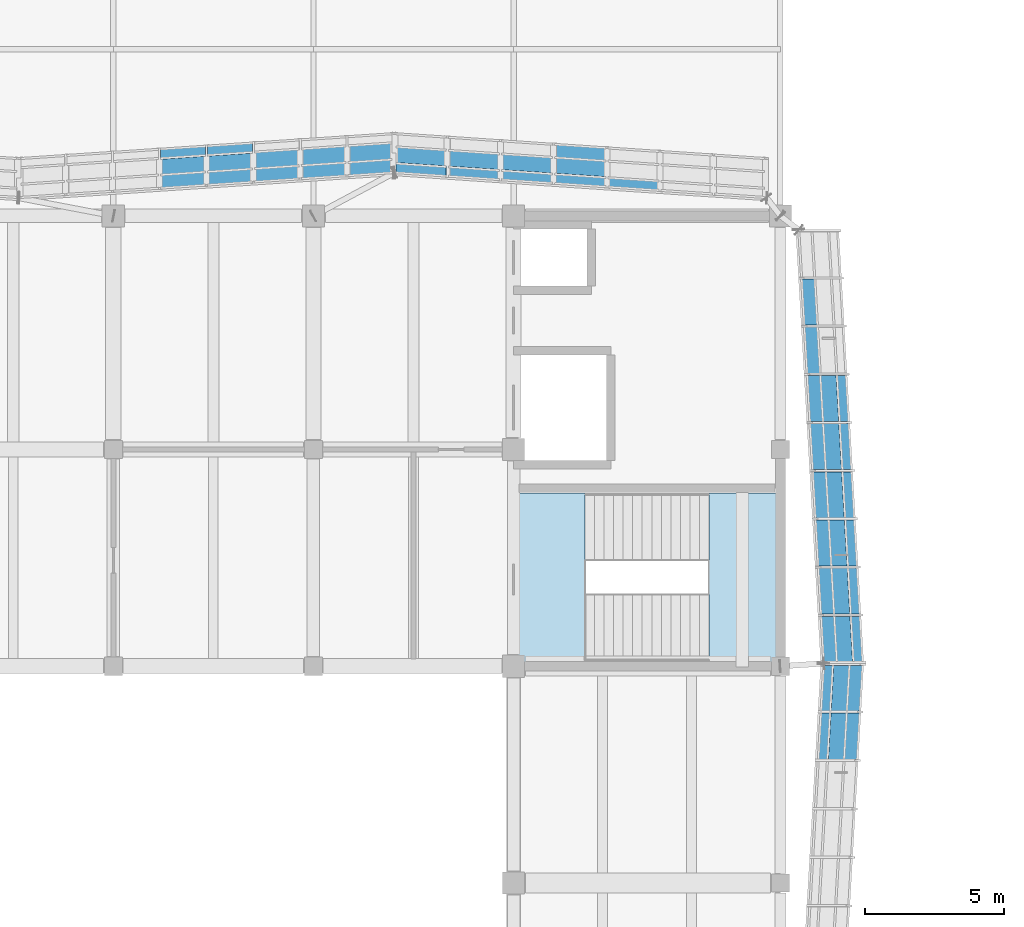
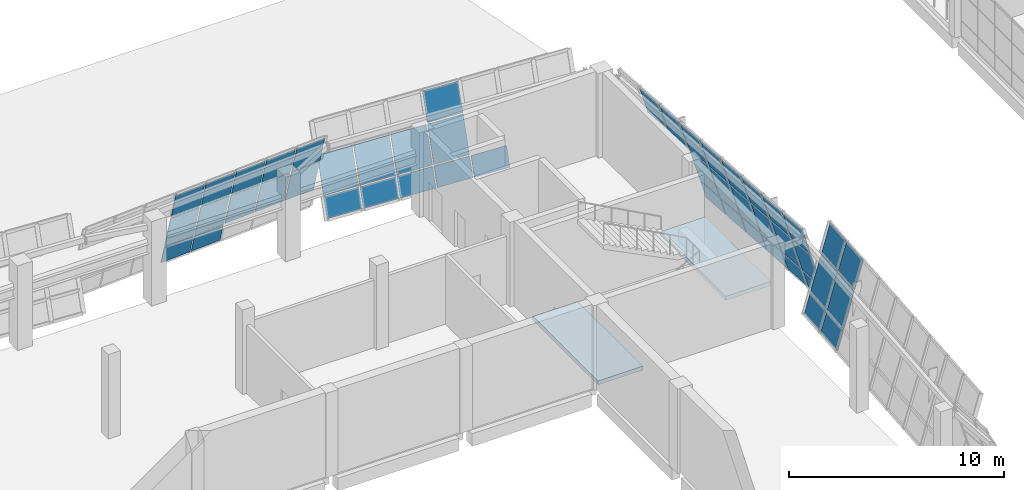
# One storey, part 56 of 79: 48 plates, 2 slabs, 5 elements without a shape of their own.
"""IFC4 building model written with IfcOpenShell, lengths in metres."""

from ifc_helpers import new_model, si_unit, direction, frame, origin, place, context, subcontext, project, spatial, polyline, outline, extrude, material, layer, layer_set, type_object, element, aggregate, save


model = new_model("IFC4")

# Units and contexts
model_context = context("Model", 3, precision=1e-05, world=origin(), true_north=direction((0.0, 1.0)))
body_context = subcontext(model_context, "Body", "Model", "MODEL_VIEW")
ifc_project = project(units=[si_unit("LENGTHUNIT", "METRE"), si_unit("AREAUNIT", "SQUARE_METRE"), si_unit("VOLUMEUNIT", "CUBIC_METRE"), si_unit("PLANEANGLEUNIT", "RADIAN"), si_unit("MASSUNIT", "GRAM", prefix="KILO")], contexts=[model_context])

# Site, building, storey
site_placement = place(None, origin())
site = spatial("IfcSite", under=ifc_project, at=site_placement, CompositionType="ELEMENT")
building_placement = place(site_placement, origin())
building = spatial("IfcBuilding", under=site, at=building_placement, Name="Pellamere Symphony Hall", CompositionType="ELEMENT")
storey_placement = place(building_placement, frame((0.0, 0.0, 10.199951171875)))
storey = spatial("IfcBuildingStorey", under=building, at=storey_placement, Name="L02", CompositionType="ELEMENT", Elevation=10.199951171875)

# Curtain wall, plates
ifc_material_1 = material(Name="Thermally Broken Anodised Aluminium 6063-T6 Curtain Wall", Category="aluminium")
curtain_wall_type = type_object("IfcCurtainWallType", Name="Curtain Wall CW-01 (Tilted Faceted Crystal Low-Iron Curtain Wall)", PredefinedType="NOTDEFINED", material=ifc_material_1)
curtain_wall_1_placement = place(storey_placement, origin())
curtain_wall_1 = element("IfcCurtainWall", 1, at=curtain_wall_1_placement, inside=storey, type_object=curtain_wall_type, Name="Crystal Faceted Curtain Wall CW-CR08 (L02)", PredefinedType="NOTDEFINED")
ifc_material_2 = material(Name="Triple Laminated Acoustic Crystal Glazing 42mm", Category="glass")
ifc_layer_1 = layer(ifc_material_2, 0.0419921875, Name="Triple Laminated Acoustic Crystal Glazing 42mm")
ifc_layer_set_1 = layer_set([ifc_layer_1], Name="Triple Laminated Acoustic Crystal Glazing 42mm")
plate_type = type_object("IfcPlateType", Name="Facade Panel GL-02 42mm", PredefinedType="CURTAIN_PANEL", material=ifc_layer_set_1)
plate_1_placement = place(storey_placement, frame((120.17333984375, 74.048583984375, 0.072021484375), z_axis=(-0.957368821144, 0.054882798755, 0.28360680299), x_axis=(0.057232737422, 0.998360863499, 0.0)))
plate_1 = element("IfcPlate", 2, at=plate_1_placement, type_object=plate_type, Name="CW1-014 crystal glass panel 8.1", PredefinedType="CURTAIN_PANEL", context=body_context, shape_type="SweptSolid", body=[
    extrude(outline(polyline([(0.0, 0.0), (1.6721745160346768, -3.469446951953614e-18), (1.6898780996073564, -1.0888989290806625), (0.01770358357267939, -1.0888989290806625), (0.0, 0.0)])), origin(), (0.0, 0.0, -1.0), 0.0419921875),
])
plate_2_placement = place(storey_placement, frame((120.504150390625, 74.048583984375, 1.18798828125), z_axis=(-0.957399002665, 0.054884528962, 0.283504564647), x_axis=(0.057232737422, 0.998360863499, 0.0)))
plate_2 = element("IfcPlate", 3, at=plate_2_placement, type_object=plate_type, Name="CW1-014 crystal glass panel 8.2", PredefinedType="CURTAIN_PANEL", context=body_context, shape_type="SweptSolid", body=[
    extrude(outline(polyline([(0.0, 0.0), (1.6721745160346768, 0.0), (1.7051224639939333, -2.0272688394771072), (0.03294794795925651, -2.0272688394771072), (0.0, 0.0)])), origin(), (0.0, 0.0, -1.0), 0.0419921875),
])
plate_3_placement = place(storey_placement, frame((121.10107421875, 74.048583984375, 3.2041015625), z_axis=(-0.957331464257, 0.054880657208, 0.283733292034), x_axis=(0.057232737422, 0.998360863499, 0.0)))
plate_3 = element("IfcPlate", 4, at=plate_3_placement, type_object=plate_type, Name="CW1-014 crystal glass panel 8.3", PredefinedType="CURTAIN_PANEL", context=body_context, shape_type="SweptSolid", body=[
    extrude(outline(polyline([(0.0, 0.0), (1.6721745160346768, 3.469446951953614e-18), (1.69802426316132, -1.589238331426626), (0.02584974712664315, -1.589238331426626), (0.0, 0.0)])), origin(), (0.0, 0.0, -1.0), 0.0419921875),
])
plate_4_placement = place(storey_placement, frame((120.2734375, 75.79296875, 0.072021484375), z_axis=(-0.957370543914, 0.054850099973, 0.283607313336), x_axis=(0.057198647566, 0.998362817175, 0.0)))
plate_4 = element("IfcPlate", 5, at=plate_4_placement, type_object=plate_type, Name="CW1-014 crystal glass panel 9.1", PredefinedType="CURTAIN_PANEL", context=body_context, shape_type="SweptSolid", body=[
    extrude(outline(polyline([(0.0, 0.0), (1.6347564733470132, 3.469446951953614e-18), (1.652449512034991, -1.0888991004708903), (0.01769303868797779, -1.0888991004708903), (0.0, 0.0)])), origin(), (0.0, 0.0, -1.0), 0.0419921875),
])
plate_5_placement = place(storey_placement, frame((120.60400390625, 75.79296875, 1.18798828125), z_axis=(-0.957368086249, 0.054849959167, 0.283615636753), x_axis=(0.057198647566, 0.998362817175, 0.0)))
plate_5 = element("IfcPlate", 6, at=plate_5_placement, type_object=plate_type, Name="CW1-014 crystal glass panel 9.2", PredefinedType="CURTAIN_PANEL", context=body_context, shape_type="SweptSolid", body=[
    extrude(outline(polyline([(0.0, 0.0), (1.6347564733470132, 0.0), (1.6676987608489386, -2.027338273597459), (0.032942287501925495, -2.027338273597459), (0.0, 0.0)])), origin(), (0.0, 0.0, -1.0), 0.0419921875),
])
plate_6_placement = place(storey_placement, frame((121.201171875, 75.79296875, 3.2041015625), z_axis=(-0.957374837735, 0.054850345976, 0.283592770742), x_axis=(0.057198647566, 0.998362817175, 0.0)))
plate_6 = element("IfcPlate", 7, at=plate_6_placement, type_object=plate_type, Name="CW1-014 crystal glass panel 9.3", PredefinedType="CURTAIN_PANEL", context=body_context, shape_type="SweptSolid", body=[
    extrude(outline(polyline([(0.0, 0.0), (1.6347564733470132, 3.469446951953614e-18), (1.6605768589303367, -1.5891694414408748), (0.025820385583323543, -1.5891694414408748), (0.0, 0.0)])), origin(), (0.0, 0.0, -1.0), 0.0419921875),
])
aggregate(curtain_wall_1, [plate_1, plate_2, plate_3, plate_4, plate_5, plate_6])

curtain_wall_2_placement = place(storey_placement, origin())
curtain_wall_2 = element("IfcCurtainWall", 8, at=curtain_wall_2_placement, inside=storey, type_object=curtain_wall_type, Name="Crystal Faceted Curtain Wall CW-CR09 (L02)", PredefinedType="NOTDEFINED")
plate_7_placement = place(storey_placement, frame((121.74609375, 77.574951171875, 0.072021484375), z_axis=(0.957377085585, 0.055302622733, 0.283497329645), x_axis=(-0.057662567717, 0.998336129702, -2.0406939e-05)))
plate_7 = element("IfcPlate", 9, at=plate_7_placement, type_object=plate_type, Name="CW1-019 crystal glass panel 1.1", PredefinedType="CURTAIN_PANEL", context=body_context, shape_type="SweptSolid", body=[
    extrude(outline(polyline([(0.0, 0.0), (1.6235445138001536, -3.469446951953614e-18), (1.6413597464226464, 1.0888971018663633), (0.01780115484717093, 1.0888280035374043), (0.0, 0.0)])), origin(), (0.0, 0.0, -1.0), 0.0419921875),
])
plate_8_placement = place(storey_placement, frame((121.41552734375, 77.574951171875, 1.18798828125), z_axis=(0.957380698434, 0.055230728649, 0.283499144406), x_axis=(-0.057593652861, 0.998340107954, 0.0)))
plate_8 = element("IfcPlate", 10, at=plate_8_placement, type_object=plate_type, Name="CW1-019 crystal glass panel 1.2", PredefinedType="CURTAIN_PANEL", context=body_context, shape_type="SweptSolid", body=[
    extrude(outline(polyline([(0.0, 0.0), (1.6235445180063734, -6.938893903907228e-18), (1.656700239062783, 2.027265452019249), (0.03315572105640951, 2.027265452019249), (0.0, 0.0)])), origin(), (0.0, 0.0, -1.0), 0.0419921875),
])
plate_9_placement = place(storey_placement, frame((120.818359375, 77.574951171875, 3.2041015625), z_axis=(0.957354812195, 0.055229235287, 0.283586838793), x_axis=(-0.057593652861, 0.998340107954, 0.0)))
plate_9 = element("IfcPlate", 11, at=plate_9_placement, type_object=plate_type, Name="CW1-019 crystal glass panel 1.3", PredefinedType="CURTAIN_PANEL", context=body_context, shape_type="SweptSolid", body=[
    extrude(outline(polyline([(0.0, 0.0), (1.6235445180063734, -6.938893903907228e-18), (1.6495432153063316, 1.589166534275083), (0.02599869729995809, 1.589166534275083), (0.0, 0.0)])), origin(), (0.0, 0.0, -1.0), 0.0419921875),
])
plate_10_placement = place(storey_placement, frame((121.6484375, 79.270751953125, 0.072021484375), z_axis=(0.957349655397, 0.055245262022, 0.283601125412), x_axis=(-0.057610619545, 0.998339129012, 0.0)))
plate_10 = element("IfcPlate", 12, at=plate_10_placement, type_object=plate_type, Name="CW1-019 crystal glass panel 2.1", PredefinedType="CURTAIN_PANEL", context=body_context, shape_type="SweptSolid", body=[
    extrude(outline(polyline([(0.0, 0.0), (1.6612063149993754, 3.469446951953614e-18), (1.67902678740273, 1.0888970223981924), (0.017820472403354506, 1.0888970223981924), (0.0, 0.0)])), origin(), (0.0, 0.0, -1.0), 0.0419921875),
])
plate_11_placement = place(storey_placement, frame((121.31787109375, 79.270751953125, 1.18798828125), z_axis=(0.957347197893, 0.055245120208, 0.283609448679), x_axis=(-0.057610619545, 0.998339129012, 0.0)))
plate_11 = element("IfcPlate", 13, at=plate_11_placement, type_object=plate_type, Name="CW1-019 crystal glass panel 2.2", PredefinedType="CURTAIN_PANEL", context=body_context, shape_type="SweptSolid", body=[
    extrude(outline(polyline([(0.0, 0.0), (1.6612063149993754, 6.938893903907228e-18), (1.6943858685901516, 2.0273344043651265), (0.03317955359077607, 2.0273344043651265), (0.0, 0.0)])), origin(), (0.0, 0.0, -1.0), 0.0419921875),
])
plate_12_placement = place(storey_placement, frame((120.720703125, 79.270751953125, 3.2041015625), z_axis=(0.957312300753, 0.055243106418, 0.283727612367), x_axis=(-0.057610619545, 0.998339129012, 0.0)))
plate_12 = element("IfcPlate", 14, at=plate_12_placement, type_object=plate_type, Name="CW1-019 crystal glass panel 2.3", PredefinedType="CURTAIN_PANEL", context=body_context, shape_type="SweptSolid", body=[
    extrude(outline(polyline([(0.0, 0.0), (1.6612063149993754, -3.469446951953614e-18), (1.6872267364249525, 1.5892355461576588), (0.026020421425576826, 1.5892355461576588), (0.0, 0.0)])), origin(), (0.0, 0.0, -1.0), 0.0419921875),
])
plate_13_placement = place(storey_placement, frame((121.54833984375, 81.004150390625, 0.072021484375), z_axis=(0.957349655397, 0.055245262022, 0.283601125412), x_axis=(-0.057610619545, 0.998339129012, 0.0)))
plate_13 = element("IfcPlate", 15, at=plate_13_placement, type_object=plate_type, Name="CW1-019 crystal glass panel 3.1", PredefinedType="CURTAIN_PANEL", context=body_context, shape_type="SweptSolid", body=[
    extrude(outline(polyline([(0.0, 0.0), (1.6612063149993754, 3.469446951953614e-18), (1.67902678740273, 1.0888970223981924), (0.017820472403354506, 1.0888970223981924), (0.0, 0.0)])), origin(), (0.0, 0.0, -1.0), 0.0419921875),
])
plate_14_placement = place(storey_placement, frame((121.2177734375, 81.004150390625, 1.18798828125), z_axis=(0.957347197893, 0.055245120208, 0.283609448679), x_axis=(-0.057610619545, 0.998339129012, 0.0)))
plate_14 = element("IfcPlate", 16, at=plate_14_placement, type_object=plate_type, Name="CW1-019 crystal glass panel 3.2", PredefinedType="CURTAIN_PANEL", context=body_context, shape_type="SweptSolid", body=[
    extrude(outline(polyline([(0.0, 0.0), (1.6612063149993754, 6.938893903907228e-18), (1.6943858685901516, 2.0273344043651265), (0.03317955359077607, 2.0273344043651265), (0.0, 0.0)])), origin(), (0.0, 0.0, -1.0), 0.0419921875),
])
plate_15_placement = place(storey_placement, frame((120.62060546875, 81.004150390625, 3.2041015625), z_axis=(0.957353948937, 0.055245509787, 0.28358658308), x_axis=(-0.057610619545, 0.998339129012, 0.0)))
plate_15 = element("IfcPlate", 17, at=plate_15_placement, type_object=plate_type, Name="CW1-019 crystal glass panel 3.3", PredefinedType="CURTAIN_PANEL", context=body_context, shape_type="SweptSolid", body=[
    extrude(outline(polyline([(0.0, 0.0), (1.6612063149993754, 0.0), (1.68721267133229, 1.5891664089551663), (0.02600635633291435, 1.5891664089551663), (0.0, 0.0)])), origin(), (0.0, 0.0, -1.0), 0.0419921875),
])
plate_16_placement = place(storey_placement, frame((121.4482421875, 82.737548828125, 0.072021484375), z_axis=(0.957410410084, 0.05524876796, 0.283395272192), x_axis=(-0.057610619545, 0.998339129012, 0.0)))
plate_16 = element("IfcPlate", 18, at=plate_16_placement, type_object=plate_type, Name="CW1-019 crystal glass panel 4.1", PredefinedType="CURTAIN_PANEL", context=body_context, shape_type="SweptSolid", body=[
    extrude(outline(polyline([(0.0, 0.0), (1.6612063149993754, 3.469446951953614e-18), (1.6790127223100675, 1.0888279239245282), (0.017806407310692034, 1.0888279239245282), (0.0, 0.0)])), origin(), (0.0, 0.0, -1.0), 0.0419921875),
])
plate_17_placement = place(storey_placement, frame((121.11767578125, 82.737548828125, 1.18798828125), z_axis=(0.957379835106, 0.055247003586, 0.283498888758), x_axis=(-0.057610619545, 0.998339129012, 0.0)))
plate_17 = element("IfcPlate", 19, at=plate_17_placement, type_object=plate_type, Name="CW1-019 crystal glass panel 4.2", PredefinedType="CURTAIN_PANEL", context=body_context, shape_type="SweptSolid", body=[
    extrude(outline(polyline([(0.0, 0.0), (1.6612063149993754, -3.469446951953614e-18), (1.694371803497489, 2.0272652922501933), (0.03316548849811359, 2.0272652922501933), (0.0, 0.0)])), origin(), (0.0, 0.0, -1.0), 0.0419921875),
])
plate_18_placement = place(storey_placement, frame((120.5205078125, 82.737548828125, 3.2041015625), z_axis=(0.957353948937, 0.055245509787, 0.28358658308), x_axis=(-0.057610619545, 0.998339129012, 0.0)))
plate_18 = element("IfcPlate", 20, at=plate_18_placement, type_object=plate_type, Name="CW1-019 crystal glass panel 4.3", PredefinedType="CURTAIN_PANEL", context=body_context, shape_type="SweptSolid", body=[
    extrude(outline(polyline([(0.0, 0.0), (1.6612063149993754, 0.0), (1.68721267133229, 1.5891664089551663), (0.02600635633291435, 1.5891664089551663), (0.0, 0.0)])), origin(), (0.0, 0.0, -1.0), 0.0419921875),
])
plate_19_placement = place(storey_placement, frame((121.348388671875, 84.470703125, 0.072021484375), z_axis=(0.957349655397, 0.055245262022, 0.283601125412), x_axis=(-0.057610619545, 0.998339129012, 0.0)))
plate_19 = element("IfcPlate", 21, at=plate_19_placement, type_object=plate_type, Name="CW1-019 crystal glass panel 5.1", PredefinedType="CURTAIN_PANEL", context=body_context, shape_type="SweptSolid", body=[
    extrude(outline(polyline([(0.0, 0.0), (1.6612063149993754, 3.469446951953614e-18), (1.67902678740273, 1.0888970223981924), (0.017820472403354506, 1.0888970223981924), (0.0, 0.0)])), origin(), (0.0, 0.0, -1.0), 0.0419921875),
])
plate_20_placement = place(storey_placement, frame((121.017822265625, 84.470703125, 1.18798828125), z_axis=(0.957347197893, 0.055245120208, 0.283609448679), x_axis=(-0.057610619545, 0.998339129012, 0.0)))
plate_20 = element("IfcPlate", 22, at=plate_20_placement, type_object=plate_type, Name="CW1-019 crystal glass panel 5.2", PredefinedType="CURTAIN_PANEL", context=body_context, shape_type="SweptSolid", body=[
    extrude(outline(polyline([(0.0, 0.0), (1.6612063149993754, 6.938893903907228e-18), (1.6943858685901516, 2.0273344043651265), (0.03317955359077607, 2.0273344043651265), (0.0, 0.0)])), origin(), (0.0, 0.0, -1.0), 0.0419921875),
])
plate_21_placement = place(storey_placement, frame((120.420654296875, 84.470703125, 3.2041015625), z_axis=(0.957353948937, 0.055245509787, 0.28358658308), x_axis=(-0.057610619545, 0.998339129012, 0.0)))
plate_21 = element("IfcPlate", 23, at=plate_21_placement, type_object=plate_type, Name="CW1-019 crystal glass panel 5.3", PredefinedType="CURTAIN_PANEL", context=body_context, shape_type="SweptSolid", body=[
    extrude(outline(polyline([(0.0, 0.0), (1.6612063149993754, 0.0), (1.68721267133229, 1.5891664089551663), (0.02600635633291435, 1.5891664089551663), (0.0, 0.0)])), origin(), (0.0, 0.0, -1.0), 0.0419921875),
])
plate_22_placement = place(storey_placement, frame((121.248291015625, 86.2041015625, 0.072021484375), z_axis=(0.957349655397, 0.055245262022, 0.283601125412), x_axis=(-0.057610619545, 0.998339129012, 0.0)))
plate_22 = element("IfcPlate", 24, at=plate_22_placement, type_object=plate_type, Name="CW1-019 crystal glass panel 6.1", PredefinedType="CURTAIN_PANEL", context=body_context, shape_type="SweptSolid", body=[
    extrude(outline(polyline([(0.0, 0.0), (1.6612063149993754, 3.469446951953614e-18), (1.67902678740273, 1.0888970223981924), (0.017820472403354506, 1.0888970223981924), (0.0, 0.0)])), origin(), (0.0, 0.0, -1.0), 0.0419921875),
])
plate_23_placement = place(storey_placement, frame((120.917724609375, 86.2041015625, 1.18798828125), z_axis=(0.957367242492, 0.055175809721, 0.283555273316), x_axis=(-0.057543268756, 0.998343013109, 1.9948157e-05)))
plate_23 = element("IfcPlate", 25, at=plate_23_placement, type_object=plate_type, Name="CW1-019 crystal glass panel 6.2", PredefinedType="CURTAIN_PANEL", context=body_context, shape_type="SweptSolid", body=[
    extrude(outline(polyline([(0.0, 0.0), (1.661206310888601, 0.0), (1.6943718076903342, 2.027265288745848), (0.033179545451331935, 2.027334401129952), (0.0, 0.0)])), origin(), (0.0, 0.0, -1.0), 0.0419921875),
])
plate_24_placement = place(storey_placement, frame((120.320556640625, 86.2041015625, 3.2041015625), z_axis=(0.957353948937, 0.055245509787, 0.28358658308), x_axis=(-0.057610619545, 0.998339129012, 0.0)))
plate_24 = element("IfcPlate", 26, at=plate_24_placement, type_object=plate_type, Name="CW1-019 crystal glass panel 6.3", PredefinedType="CURTAIN_PANEL", context=body_context, shape_type="SweptSolid", body=[
    extrude(outline(polyline([(0.0, 0.0), (1.6612063149993754, 0.0), (1.68721267133229, 1.5891664089551663), (0.02600635633291435, 1.5891664089551663), (0.0, 0.0)])), origin(), (0.0, 0.0, -1.0), 0.0419921875),
])
plate_25_placement = place(storey_placement, frame((120.220703125, 87.9375, 3.2041015625), z_axis=(0.957312300753, 0.055243106418, 0.283727612367), x_axis=(-0.057610619545, 0.998339129012, 0.0)))
plate_25 = element("IfcPlate", 27, at=plate_25_placement, type_object=plate_type, Name="CW1-019 crystal glass panel 7.3", PredefinedType="CURTAIN_PANEL", context=body_context, shape_type="SweptSolid", body=[
    extrude(outline(polyline([(0.0, 0.0), (1.6612063149993754, -3.469446951953614e-18), (1.6872267364249525, 1.5892355461576588), (0.026020421425576826, 1.5892355461576588), (0.0, 0.0)])), origin(), (0.0, 0.0, -1.0), 0.0419921875),
])
plate_26_placement = place(storey_placement, frame((120.12060546875, 89.670654296875, 3.2041015625), z_axis=(0.957354378978, 0.055237403085, 0.283586710466), x_axis=(-0.057602168051, 0.998339616682, 0.0)))
plate_26 = element("IfcPlate", 28, at=plate_26_placement, type_object=plate_type, Name="CW1-019 crystal glass panel 8.3", PredefinedType="CURTAIN_PANEL", context=body_context, shape_type="SweptSolid", body=[
    extrude(outline(polyline([(0.0, 0.0), (1.6614500501978287, -3.469446951953614e-18), (1.687452591390817, 1.5891664713845053), (0.02600254119298818, 1.5891664713845053), (0.0, 0.0)])), origin(), (0.0, 0.0, -1.0), 0.0419921875),
])
aggregate(curtain_wall_2, [plate_7, plate_8, plate_9, plate_10, plate_11, plate_12, plate_13, plate_14, plate_15, plate_16, plate_17, plate_18, plate_19, plate_20, plate_21, plate_22, plate_23, plate_24, plate_25, plate_26])

curtain_wall_3_placement = place(storey_placement, origin())
curtain_wall_3 = element("IfcCurtainWall", 29, at=curtain_wall_3_placement, inside=storey, type_object=curtain_wall_type, Name="Crystal Faceted Curtain Wall CW-CR10 (L02)", PredefinedType="NOTDEFINED")
plate_27_placement = place(storey_placement, frame((114.43408203125, 94.531005859375, 0.072021484375), z_axis=(-0.064254451897, -0.956832598898, 0.283447954829), x_axis=(-0.997752815695, 0.067002378864, 0.0)))
plate_27 = element("IfcPlate", 30, at=plate_27_placement, type_object=plate_type, Name="CW1-022 crystal glass panel 3.1", PredefinedType="CURTAIN_PANEL", context=body_context, shape_type="SweptSolid", body=[
    extrude(outline(polyline([(0.0, 0.0), (1.8437428393467363, 0.0), (1.8644684287073066, -1.0888456018049508), (0.020725589360570347, -1.0888456018049508), (0.0, 0.0)])), origin(), (0.0, 0.0, -1.0), 0.0419921875),
])
plate_28_placement = place(storey_placement, frame((112.519775390625, 94.659423828125, 0.072021484375), z_axis=(-0.064254451897, -0.956832598898, 0.283447954829), x_axis=(-0.997752815695, 0.067002378864, 0.0)))
plate_28 = element("IfcPlate", 31, at=plate_28_placement, type_object=plate_type, Name="CW1-022 crystal glass panel 4.1", PredefinedType="CURTAIN_PANEL", context=body_context, shape_type="SweptSolid", body=[
    extrude(outline(polyline([(0.0, 0.0), (1.8437428393467363, 0.0), (1.8644684287073066, -1.0888456018049508), (0.020725589360570347, -1.0888456018049508), (0.0, 0.0)])), origin(), (0.0, 0.0, -1.0), 0.0419921875),
])
plate_29_placement = place(storey_placement, frame((112.519775390625, 94.989990234375, 1.18798828125), z_axis=(-0.06431861222, -0.956842533221, 0.283399863695), x_axis=(-0.997748031415, 0.067073582622, 1.7953369e-05)))
plate_29 = element("IfcPlate", 32, at=plate_29_placement, type_object=plate_type, Name="CW1-022 crystal glass panel 4.2", PredefinedType="CURTAIN_PANEL", context=body_context, shape_type="SweptSolid", body=[
    extrude(outline(polyline([(0.0, 0.0), (1.8437592097410114, 6.938893903907228e-18), (1.8824072738282847, -2.0271681795769108), (0.038664439473655596, -2.02723721290244), (0.0, 0.0)])), origin(), (0.0, 0.0, -1.0), 0.0419921875),
])
plate_30_placement = place(storey_placement, frame((112.519775390625, 95.587158203125, 3.2041015625), z_axis=(-0.064251947472, -0.956795304744, 0.283574385418), x_axis=(-0.997752815695, 0.067002378864, 0.0)))
plate_30 = element("IfcPlate", 33, at=plate_30_placement, type_object=plate_type, Name="CW1-022 crystal glass panel 4.3", PredefinedType="CURTAIN_PANEL", context=body_context, shape_type="SweptSolid", body=[
    extrude(outline(polyline([(0.0, 0.0), (1.8437428393467363, 0.0), (1.8740051442536463, -1.589160431298212), (0.030262304906910138, -1.589160431298212), (0.0, 0.0)])), origin(), (0.0, 0.0, -1.0), 0.0419921875),
])
plate_31_placement = place(storey_placement, frame((110.60546875, 94.7880859375, 0.072021484375), z_axis=(-0.064254451897, -0.956832598898, 0.283447954829), x_axis=(-0.997752815695, 0.067002378864, 0.0)))
plate_31 = element("IfcPlate", 34, at=plate_31_placement, type_object=plate_type, Name="CW1-022 crystal glass panel 5.1", PredefinedType="CURTAIN_PANEL", context=body_context, shape_type="SweptSolid", body=[
    extrude(outline(polyline([(0.0, 0.0), (1.8437428393467363, 0.0), (1.8644684287073066, -1.0888456018049508), (0.020725589360570347, -1.0888456018049508), (0.0, 0.0)])), origin(), (0.0, 0.0, -1.0), 0.0419921875),
])
plate_32_placement = place(storey_placement, frame((110.60546875, 95.11865234375, 1.18798828125), z_axis=(-0.064254287135, -0.956830145374, 0.283456274386), x_axis=(-0.997752815695, 0.067002378864, 0.0)))
plate_32 = element("IfcPlate", 35, at=plate_32_placement, type_object=plate_type, Name="CW1-022 crystal glass panel 5.2", PredefinedType="CURTAIN_PANEL", context=body_context, shape_type="SweptSolid", body=[
    extrude(outline(polyline([(0.0, 0.0), (1.8437428393467363, 0.0), (1.8823313676037097, -2.0272386626606025), (0.03858852825697352, -2.0272386626606025), (0.0, 0.0)])), origin(), (0.0, 0.0, -1.0), 0.0419921875),
])
plate_33_placement = place(storey_placement, frame((108.691162109375, 94.916748046875, 0.072021484375), z_axis=(-0.064328222776, -0.956858500286, 0.283343766802), x_axis=(-0.99774814729, 0.067071858905, -1.7952646e-05)))
plate_33 = element("IfcPlate", 36, at=plate_33_placement, type_object=plate_type, Name="CW1-022 crystal glass panel 6.1", PredefinedType="CURTAIN_PANEL", context=body_context, shape_type="SweptSolid", body=[
    extrude(outline(polyline([(0.0, 0.0), (1.8434992437229436, -6.938893903907228e-18), (1.8642275791145004, -1.0888455432672923), (0.020711960426004015, -1.0887765230345692), (0.0, 0.0)])), origin(), (0.0, 0.0, -1.0), 0.0419921875),
])
plate_34_placement = place(storey_placement, frame((108.691162109375, 95.247314453125, 1.18798828125), z_axis=(-0.064264968925, -0.956862205304, 0.283345608453), x_axis=(-0.99775222112, 0.067011232265, 0.0)))
plate_34 = element("IfcPlate", 37, at=plate_34_placement, type_object=plate_type, Name="CW1-022 crystal glass panel 6.2", PredefinedType="CURTAIN_PANEL", context=body_context, shape_type="SweptSolid", body=[
    extrude(outline(polyline([(0.0, 0.0), (1.843499247423292, -6.938893903907228e-18), (1.8820765144353997, -2.0271695314549936), (0.03857726701210761, -2.0271695314549936), (0.0, 0.0)])), origin(), (0.0, 0.0, -1.0), 0.0419921875),
])
plate_35_placement = place(storey_placement, frame((106.77685546875, 95.045166015625, 0.072021484375), z_axis=(-0.064298552795, -0.956829875363, 0.283447148021), x_axis=(-0.997749727577, 0.067048349123, 0.0)))
plate_35 = element("IfcPlate", 38, at=plate_35_placement, type_object=plate_type, Name="CW1-022 crystal glass panel 7.1", PredefinedType="CURTAIN_PANEL", context=body_context, shape_type="SweptSolid", body=[
    extrude(outline(polyline([(0.0, 0.0), (1.806066093850216, 0.0), (1.8268059030150265, -1.0888453310457533), (0.020739809164810538, -1.0888453310457533), (0.0, 0.0)])), origin(), (0.0, 0.0, -1.0), 0.0419921875),
])
plate_36_placement = place(storey_placement, frame((106.77685546875, 95.375732421875, 1.18798828125), z_axis=(-0.064298387921, -0.956827421859, 0.283455467558), x_axis=(-0.997749727577, 0.067048349123, 0.0)))
plate_36 = element("IfcPlate", 39, at=plate_36_placement, type_object=plate_type, Name="CW1-022 crystal glass panel 7.2", PredefinedType="CURTAIN_PANEL", context=body_context, shape_type="SweptSolid", body=[
    extrude(outline(polyline([(0.0, 0.0), (1.806066093850216, 0.0), (1.8446810976543107, -2.0272381585250896), (0.03861500380409476, -2.0272381585250896), (0.0, 0.0)])), origin(), (0.0, 0.0, -1.0), 0.0419921875),
])
aggregate(curtain_wall_3, [plate_27, plate_28, plate_29, plate_30, plate_31, plate_32, plate_33, plate_34, plate_35, plate_36])

curtain_wall_4_placement = place(storey_placement, origin())
curtain_wall_4 = element("IfcCurtainWall", 40, at=curtain_wall_4_placement, inside=storey, type_object=curtain_wall_type, Name="Crystal Faceted Curtain Wall CW-CR11 (L02)", PredefinedType="NOTDEFINED")
plate_37_placement = place(storey_placement, frame((104.8251953125, 96.21484375, 1.18798828125), z_axis=(-0.063845821816, 0.9568716431, 0.283408485527), x_axis=(-0.997781805053, -0.06656928019, -2.0969101e-05)))
plate_37 = element("IfcPlate", 41, at=plate_37_placement, type_object=plate_type, Name="CW1-025 crystal glass panel 1.2", PredefinedType="CURTAIN_PANEL", context=body_context, shape_type="SweptSolid", body=[
    extrude(outline(polyline([(0.0, 0.0), (1.5786896964563333, 0.0), (1.616988025317339, 2.0272441624683224), (0.038282076595334426, 2.0271751240969733), (0.0, 0.0)])), origin(), (0.0, 0.0, -1.0), 0.0419921875),
])
plate_38_placement = place(storey_placement, frame((104.8251953125, 95.61767578125, 3.2041015625), z_axis=(-0.063771333704, 0.956866616412, 0.283442225848), x_axis=(-0.997786526209, -0.066498482063, 0.0)))
plate_38 = element("IfcPlate", 42, at=plate_38_placement, type_object=plate_type, Name="CW1-025 crystal glass panel 1.3", PredefinedType="CURTAIN_PANEL", context=body_context, shape_type="SweptSolid", body=[
    extrude(outline(polyline([(0.0, 0.0), (1.578689700777497, 0.0), (1.608708180595431, 1.5890956852218163), (0.030018479817934176, 1.5890956852218163), (0.0, 0.0)])), origin(), (0.0, 0.0, -1.0), 0.0419921875),
])
plate_39_placement = place(storey_placement, frame((103.175048828125, 96.10498046875, 1.18798828125), z_axis=(-0.063815711161, 0.956873489719, 0.283409032463), x_axis=(-0.997783083429, -0.066550116483, 2.0483281e-05)))
plate_39 = element("IfcPlate", 43, at=plate_39_placement, type_object=plate_type, Name="CW1-025 crystal glass panel 2.2", PredefinedType="CURTAIN_PANEL", context=body_context, shape_type="SweptSolid", body=[
    extrude(outline(polyline([(0.0, 0.0), (1.6161391277870443, -1.0408340855860843e-17), (1.6544907593871159, 2.02717380939563), (0.038367879187103396, 2.0272428473426825), (0.0, 0.0)])), origin(), (0.0, 0.0, -1.0), 0.0419921875),
])
plate_40_placement = place(storey_placement, frame((103.175048828125, 95.5078125, 3.2041015625), z_axis=(-0.06388721331, 0.956859510011, 0.283440120796), x_axis=(-0.997778468566, -0.06661927398, 0.0)))
plate_40 = element("IfcPlate", 44, at=plate_40_placement, type_object=plate_type, Name="CW1-025 crystal glass panel 2.3", PredefinedType="CURTAIN_PANEL", context=body_context, shape_type="SweptSolid", body=[
    extrude(outline(polyline([(0.0, 0.0), (1.6161391320080933, 0.0), (1.6462121392319622, 1.5890946542474071), (0.030073007223868832, 1.5890946542474071), (0.0, 0.0)])), origin(), (0.0, 0.0, -1.0), 0.0419921875),
])
plate_41_placement = place(storey_placement, frame((101.487548828125, 95.992431640625, 1.18798828125), z_axis=(-0.063742484593, 0.956861615314, 0.283465597203), x_axis=(-0.997788498757, -0.06646887804, 0.0)))
plate_41 = element("IfcPlate", 45, at=plate_41_placement, type_object=plate_type, Name="CW1-025 crystal glass panel 3.2", PredefinedType="CURTAIN_PANEL", context=body_context, shape_type="SweptSolid", body=[
    extrude(outline(polyline([(0.0, 0.0), (1.616122885895694, 0.0), (1.654404156231629, 2.027244488028135), (0.038281270335934973, 2.0272444880281344), (0.0, 0.0)])), origin(), (0.0, 0.0, -1.0), 0.0419921875),
])
plate_42_placement = place(storey_placement, frame((101.487548828125, 95.395263671875, 3.2041015625), z_axis=(-0.06381368745, 0.956843145529, 0.283511918881), x_axis=(-0.997783889353, -0.066538032193, -2.0490273e-05)))
plate_42 = element("IfcPlate", 46, at=plate_42_placement, type_object=plate_type, Name="CW1-025 crystal glass panel 3.3", PredefinedType="CURTAIN_PANEL", context=body_context, shape_type="SweptSolid", body=[
    extrude(outline(polyline([(0.0, 0.0), (1.61612288167487, -6.938893903907228e-18), (1.6461442340361623, 1.5891649971799204), (0.030005107724526383, 1.589095933475658), (0.0, 0.0)])), origin(), (0.0, 0.0, -1.0), 0.0419921875),
])
plate_43_placement = place(storey_placement, frame((99.800048828125, 96.21044921875, 0.072021484375), z_axis=(-0.063742648054, 0.95686406908, 0.28345727742), x_axis=(-0.997788498757, -0.06646887804, 0.0)))
plate_43 = element("IfcPlate", 47, at=plate_43_placement, type_object=plate_type, Name="CW1-025 crystal glass panel 4.1", PredefinedType="CURTAIN_PANEL", context=body_context, shape_type="SweptSolid", body=[
    extrude(outline(polyline([(0.0, 0.0), (1.616122885895694, -3.469446951953614e-18), (1.636683449488585, 1.0888487304713506), (0.020560563592890893, 1.0888487304713506), (0.0, 0.0)])), origin(), (0.0, 0.0, -1.0), 0.0419921875),
])
plate_44_placement = place(storey_placement, frame((99.800048828125, 95.8798828125, 1.18798828125), z_axis=(-0.063742484593, 0.956861615314, 0.283465597203), x_axis=(-0.997788498757, -0.06646887804, 0.0)))
plate_44 = element("IfcPlate", 48, at=plate_44_placement, type_object=plate_type, Name="CW1-025 crystal glass panel 4.2", PredefinedType="CURTAIN_PANEL", context=body_context, shape_type="SweptSolid", body=[
    extrude(outline(polyline([(0.0, 0.0), (1.616122885895694, 0.0), (1.654404156231629, 2.027244488028135), (0.038281270335934973, 2.0272444880281344), (0.0, 0.0)])), origin(), (0.0, 0.0, -1.0), 0.0419921875),
])
plate_45_placement = place(storey_placement, frame((99.800048828125, 95.28271484375, 3.2041015625), z_axis=(-0.063742933638, 0.95686835609, 0.283442741174), x_axis=(-0.997788498757, -0.06646887804, 0.0)))
plate_45 = element("IfcPlate", 49, at=plate_45_placement, type_object=plate_type, Name="CW1-025 crystal glass panel 4.3", PredefinedType="CURTAIN_PANEL", context=body_context, shape_type="SweptSolid", body=[
    extrude(outline(polyline([(0.0, 0.0), (1.616122885895694, -3.469446951953614e-18), (1.646128001983504, 1.5890959376103542), (0.030005116087809994, 1.5890959376103542), (0.0, 0.0)])), origin(), (0.0, 0.0, -1.0), 0.0419921875),
])
plate_46_placement = place(storey_placement, frame((98.112548828125, 96.097900390625, 0.072021484375), z_axis=(-0.063816811186, 0.956889983844, 0.283353089675), x_axis=(-0.997783888902, -0.066538038963, -2.0479797e-05)))
plate_46 = element("IfcPlate", 50, at=plate_46_placement, type_object=plate_type, Name="CW1-025 crystal glass panel 5.1", PredefinedType="CURTAIN_PANEL", context=body_context, shape_type="SweptSolid", body=[
    extrude(outline(polyline([(0.0, 0.0), (1.616122881674457, -3.469446951953614e-18), (1.6366834537635255, 1.0888487240455502), (0.020544327450649668, 1.088779699032195), (0.0, 0.0)])), origin(), (0.0, 0.0, -1.0), 0.0419921875),
])
plate_47_placement = place(storey_placement, frame((98.112548828125, 95.767333984375, 1.18798828125), z_axis=(-0.063815711161, 0.956873489719, 0.283409032463), x_axis=(-0.99778388906, -0.066538036579, -2.0483487e-05)))
plate_47 = element("IfcPlate", 51, at=plate_47_placement, type_object=plate_type, Name="CW1-025 crystal glass panel 5.2", PredefinedType="CURTAIN_PANEL", context=body_context, shape_type="SweptSolid", body=[
    extrude(outline(polyline([(0.0, 0.0), (1.6161228816746025, 0.0), (1.6544041605527064, 2.027244484501768), (0.038265034240267004, 2.02717544586071), (0.0, 0.0)])), origin(), (0.0, 0.0, -1.0), 0.0419921875),
])
plate_48_placement = place(storey_placement, frame((98.112548828125, 95.170166015625, 3.2041015625), z_axis=(-0.063742933638, 0.95686835609, 0.283442741174), x_axis=(-0.997788498757, -0.06646887804, 0.0)))
plate_48 = element("IfcPlate", 52, at=plate_48_placement, type_object=plate_type, Name="CW1-025 crystal glass panel 5.3", PredefinedType="CURTAIN_PANEL", context=body_context, shape_type="SweptSolid", body=[
    extrude(outline(polyline([(0.0, 0.0), (1.616122885895694, -3.469446951953614e-18), (1.646128001983504, 1.5890959376103542), (0.030005116087809994, 1.5890959376103542), (0.0, 0.0)])), origin(), (0.0, 0.0, -1.0), 0.0419921875),
])
aggregate(curtain_wall_4, [plate_37, plate_38, plate_39, plate_40, plate_41, plate_42, plate_43, plate_44, plate_45, plate_46, plate_47, plate_48])

# Stair, slabs
ifc_material_3 = material(Name="Concrete 40 MPa", Category="concrete")
stair_type = type_object("IfcStairType", Name="Stair ST-A W2400", PredefinedType="HALF_TURN_STAIR", material=ifc_material_3)
stair_placement = place(storey_placement, origin())
stair = element("IfcStair", 53, at=stair_placement, inside=storey, type_object=stair_type, Name="Exit Stair ST04-L02 (L02 to L03)", PredefinedType="HALF_TURN_STAIR")
ifc_layer_2 = layer(ifc_material_3, 0.219970703125, Name="Concrete 40 MPa")
ifc_layer_set_2 = layer_set([ifc_layer_2], Name="Concrete 40 MPa")
slab_type = type_object("IfcSlabType", Name="Stair Landing SL-01 220mm", PredefinedType="LANDING", material=ifc_layer_set_2)
slab_1_placement = place(storey_placement, frame((0.0, 0.0, -0.219970703125)))
slab_1 = element("IfcSlab", 54, at=slab_1_placement, type_object=slab_type, Name="Stair ST04-L02 Bottom Landing (L02)", PredefinedType="LANDING", context=body_context, shape_type="SweptSolid", body=[
    extrude(outline(polyline([(109.360107421875, 77.56005859375), (111.77490234375, 77.56005859375), (111.77490234375, 83.639892578125), (109.360107421875, 83.639892578125), (109.360107421875, 77.56005859375)])), origin(), (0.0, 0.0, 1.0), 0.219970703125),
])
slab_2_placement = place(storey_placement, frame((0.0, 0.0, 2.179931640625)))
slab_2 = element("IfcSlab", 55, at=slab_2_placement, type_object=slab_type, Name="Stair ST04-L02 Half Landing (L02)", PredefinedType="LANDING", context=body_context, shape_type="SweptSolid", body=[
    extrude(outline(polyline([(116.22509765625, 77.56005859375), (118.639892578125, 77.56005859375), (118.639892578125, 83.639892578125), (116.22509765625, 83.639892578125), (116.22509765625, 77.56005859375)])), origin(), (0.0, 0.0, 1.0), 0.22021484375),
])
aggregate(stair, [slab_1, slab_2])

save(model, "model.ifc")
